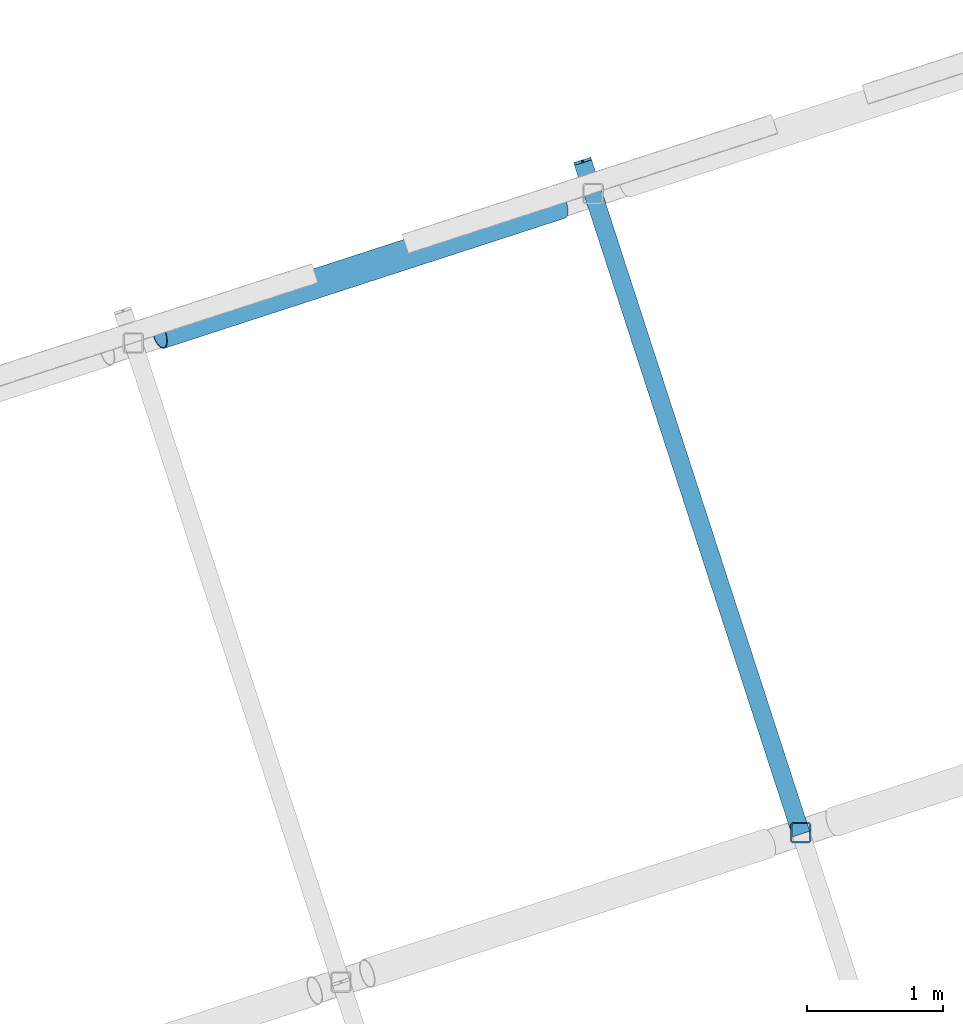
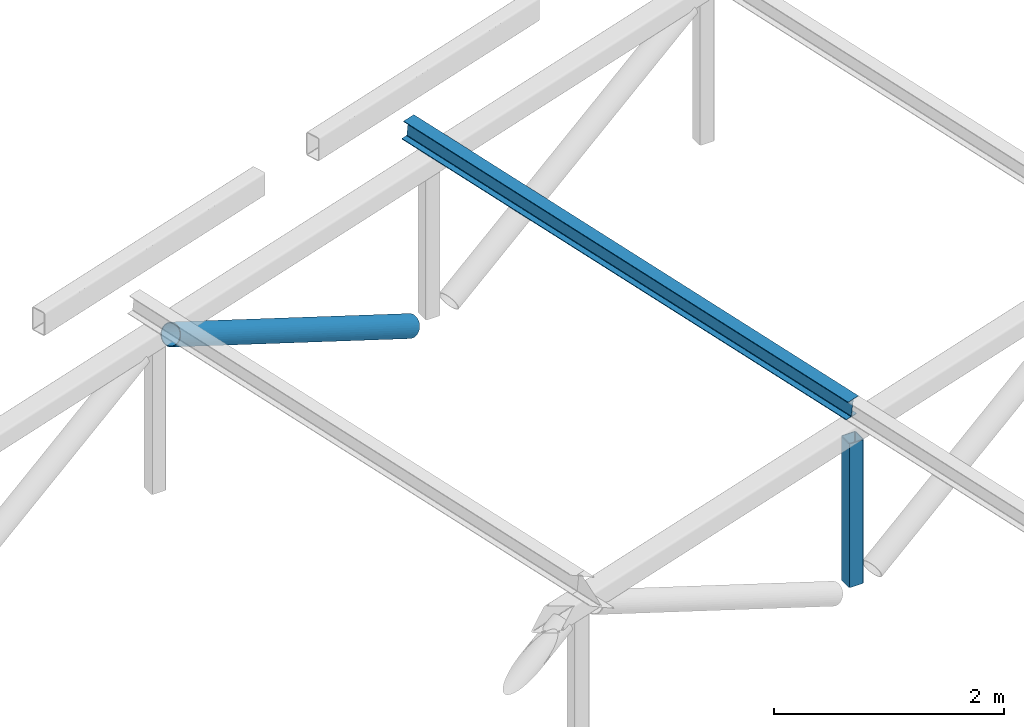
# One storey, part 6 of 43: 3 members.
"""IFC4 building model written with IfcOpenShell, lengths in metres."""

from ifc_helpers import new_model, si_unit, direction, frame, origin, origin_2d, place, context, subcontext, project, spatial, hollow_rectangle, hollow_circle, i_section, extrude, material, material_profile, profile_set, type_object, element, save


model = new_model("IFC4")

# Units and contexts
model_context = context("Model", 3, precision=1e-05, world=origin(), true_north=direction((0.0, 1.0)))
body_context = subcontext(model_context, "Body", "Model", "MODEL_VIEW")
ifc_project = project(units=[si_unit("LENGTHUNIT", "METRE"), si_unit("AREAUNIT", "SQUARE_METRE"), si_unit("VOLUMEUNIT", "CUBIC_METRE"), si_unit("PLANEANGLEUNIT", "RADIAN"), si_unit("MASSUNIT", "GRAM", prefix="KILO")], contexts=[model_context])

# Site, building, storey
site_placement = place(None, origin())
site = spatial("IfcSite", under=ifc_project, at=site_placement, CompositionType="ELEMENT")
building_placement = place(site_placement, origin())
building = spatial("IfcBuilding", under=site, at=building_placement, Name="Tuart Plaza Theatre", CompositionType="ELEMENT")
storey_placement = place(building_placement, frame((0.0, 0.0, 33.5)))
storey = spatial("IfcBuildingStorey", under=building, at=storey_placement, Name="L08", CompositionType="ELEMENT", Elevation=33.5)

# Members
ifc_material_1 = material(Name="Steel Grade C350L0", Category="steel")
ifc_material_profile_1 = material_profile(ifc_material_1, hollow_circle(Radius=0.109619140625, WallThickness=0.00830078125, at=origin_2d()), Name="219.1x8.2 CHS")
ifc_profile_set_1 = profile_set([ifc_material_profile_1], Name="Steel Grade C350L0")
member_type_1 = type_object("IfcMemberType", Name="MEMBER Brace 219.1x8.2 CHS", PredefinedType="BRACE", material=ifc_profile_set_1)
member_1_placement = place(storey_placement, frame((45.76416015625, 91.093994140625, 1.3857421875), z_axis=(0.853589339683, 0.277280613528, -0.441022335649), x_axis=(-0.308949091736, 0.95107857652, 0.0)))
element("IfcMember", 1, at=member_1_placement, inside=storey, type_object=member_type_1, Name="BR90", PredefinedType="BRACE", context=body_context, shape_type="SweptSolid", body=[
    extrude(hollow_circle(Radius=0.109619140625, WallThickness=0.00830078125, at=origin_2d()), origin(), (0.0, 0.0, 1.0), 3.457763671875),
])
ifc_material_2 = material(Name="Steel Grade C350L0", Category="steel")
ifc_material_profile_2 = material_profile(ifc_material_2, hollow_rectangle(XDim=0.14990234375, YDim=0.14990234375, WallThickness=0.009033203125, InnerFilletRadius=0.009033203125, OuterFilletRadius=0.01806640625, at=origin_2d()), Name="150x150x9 SHS")
ifc_profile_set_2 = profile_set([ifc_material_profile_2], Name="Steel Grade C350L0")
member_type_2 = type_object("IfcMemberType", Name="MEMBER Post 150x150x9 SHS", PredefinedType="POST", material=ifc_profile_set_2)
member_2_placement = place(storey_placement, frame((50.487060546875, 87.423828125, -0.659423828125), z_axis=(0.0, 0.0, 1.0), x_axis=(1.0, 0.0, 0.0)))
element("IfcMember", 2, at=member_2_placement, inside=storey, type_object=member_type_2, Name="PO94", PredefinedType="POST", context=body_context, shape_type="SweptSolid", body=[
    extrude(hollow_rectangle(XDim=0.14990234375, YDim=0.14990234375, WallThickness=0.009033203125, InnerFilletRadius=0.009033203125, OuterFilletRadius=0.01806640625, at=origin_2d()), origin(), (0.0, 0.0, 1.0), 1.52490234375),
])
ifc_material_3 = material(Name="Steel Grade 300", Category="steel")
ifc_material_profile_3 = material_profile(ifc_material_3, i_section(OverallWidth=0.133056640625, OverallDepth=0.202880859375, WebThickness=0.005859375, FlangeThickness=0.0078125, FilletRadius=0.0087890625, at=origin_2d()), Name="200UB25.4")
ifc_profile_set_3 = profile_set([ifc_material_profile_3], Name="Steel Grade 300")
member_type_3 = type_object("IfcMemberType", Name="MEMBER Purlin 200UB25.4", PredefinedType="PURLIN", material=ifc_profile_set_3)
member_3_placement = place(storey_placement, frame((50.487060546875, 87.423828125, 1.17822265625), z_axis=(-0.30730075306, 0.945856868861, 0.104503735807), x_axis=(-0.951064427824, -0.308992644131, 0.0)))
element("IfcMember", 3, at=member_3_placement, inside=storey, type_object=member_type_3, Name="PU98", PredefinedType="PURLIN", context=body_context, shape_type="SweptSolid", body=[
    extrude(i_section(OverallWidth=0.133056640625, OverallDepth=0.202880859375, WebThickness=0.005859375, FlangeThickness=0.0078125, FilletRadius=0.0087890625, at=origin_2d()), origin(), (0.0, 0.0, 1.0), 5.228515625),
])

save(model, "model.ifc")
